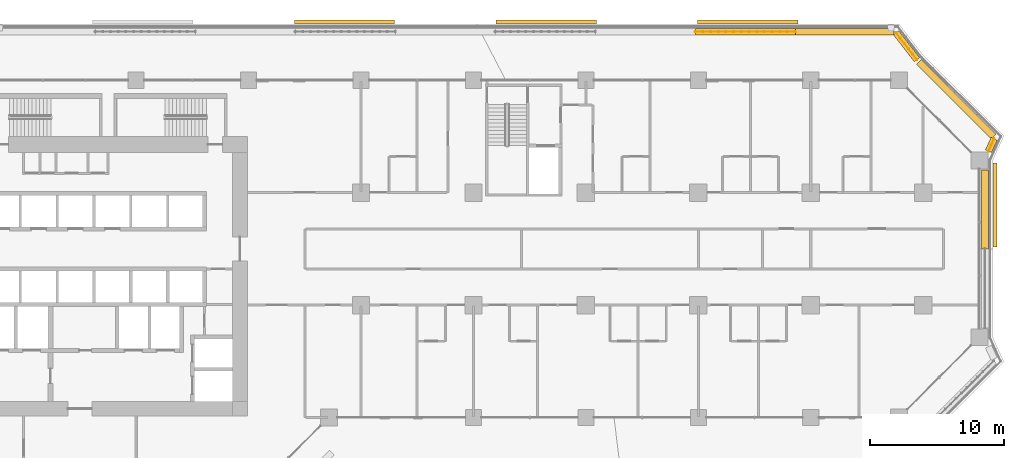
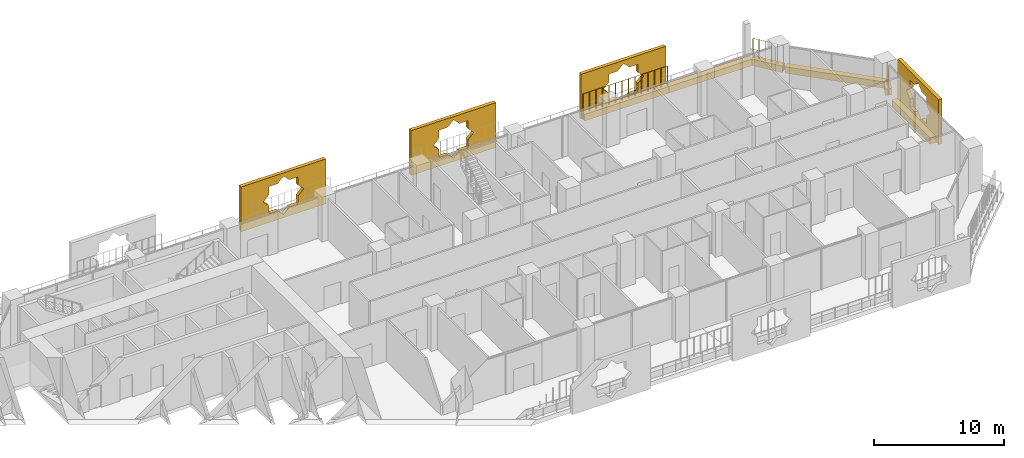
# One storey, part 28 of 28: 10 coverings, 3 railings.
"""IFC4 building model written with IfcOpenShell, lengths in metres."""

from ifc_helpers import new_model, si_unit, direction, frame, origin, origin_2d, place, context, subcontext, project, spatial, polyline, rectangle, circle, outline, extrude, material, material_profile, profile_set, type_object, element, save


model = new_model("IFC4")

# Units and contexts
model_context = context("Model", 3, precision=1e-05, world=origin(), true_north=direction((0.0, 1.0)))
body_context = subcontext(model_context, "Body", "Model", "MODEL_VIEW")
ifc_project = project(units=[si_unit("LENGTHUNIT", "METRE"), si_unit("AREAUNIT", "SQUARE_METRE"), si_unit("VOLUMEUNIT", "CUBIC_METRE"), si_unit("PLANEANGLEUNIT", "RADIAN"), si_unit("MASSUNIT", "GRAM", prefix="KILO")], contexts=[model_context])

# Site, building, storey
site_placement = place(None, origin())
site = spatial("IfcSite", under=ifc_project, at=site_placement, CompositionType="ELEMENT")
building_placement = place(site_placement, origin())
building = spatial("IfcBuilding", under=site, at=building_placement, Name="Kawkab Arch Medical Tower", CompositionType="ELEMENT")
storey_placement = place(building_placement, frame((0.0, 0.0, 56.0)))
storey = spatial("IfcBuildingStorey", under=building, at=storey_placement, Name="L12", CompositionType="ELEMENT", Elevation=56.0)

# Coverings
ifc_material_1 = material(Name="Bronze anodised aluminium mashrabiya panel, eight-point star pattern", Category="aluminium")
ifc_material_profile_1 = material_profile(ifc_material_1, outline(polyline([(-3.14990234375, -2.10009765625), (3.14990234375, -2.10009765625), (3.14990234375, 2.10009765625), (-3.14990234375, 2.10009765625), (-3.14990234375, -2.10009765625)]), holes=[polyline([(1.800048828125, 0.0), (1.272705078125, 0.527099609375), (1.272705078125, 1.272705078125), (0.527099609375, 1.272705078125), (0.0, 1.800048828125), (-0.527099609375, 1.272705078125), (-1.272705078125, 1.272705078125), (-1.272705078125, 0.527099609375), (-1.800048828125, 0.0), (-1.272705078125, -0.527099609375), (-1.272705078125, -1.272705078125), (-0.527099609375, -1.272705078125), (0.0, -1.800048828125), (0.527099609375, -1.272705078125), (1.272705078125, -1.272705078125), (1.272705078125, -0.527099609375), (1.800048828125, 0.0)])]), Name="Mashrabiya panel 6300x4200")
ifc_profile_set_1 = profile_set([ifc_material_profile_1], Name="Bronze anodised aluminium mashrabiya panel, eight-point star pattern")
covering_type_1 = type_object("IfcCoveringType", Name="Mashrabiya panel 6300 x 4200", PredefinedType="USERDEFINED", material=ifc_profile_set_1)
covering_1_placement = place(storey_placement, frame((80.800048828125, -9.31884765625, 1.699951171875), z_axis=(1.0, 0.0, 0.0), x_axis=(0.0, 1.0, 0.0)))
element("IfcCovering", 1, at=covering_1_placement, inside=storey, type_object=covering_type_1, Name="Mashrabiya panel L12.LOG-01-01.10", ObjectType="SCREEN", PredefinedType="USERDEFINED", context=body_context, shape_type="SweptSolid", body=[
    extrude(outline(polyline([(-3.14990234375, -2.10009765625), (3.14990234375, -2.10009765625), (3.14990234375, 2.10009765625), (-3.14990234375, 2.10009765625), (-3.14990234375, -2.10009765625)]), holes=[polyline([(1.800048828125, 0.0), (1.272705078125, 0.527099609375), (1.272705078125, 1.272705078125), (0.527099609375, 1.272705078125), (0.0, 1.800048828125), (-0.527099609375, 1.272705078125), (-1.272705078125, 1.272705078125), (-1.272705078125, 0.527099609375), (-1.800048828125, 0.0), (-1.272705078125, -0.527099609375), (-1.272705078125, -1.272705078125), (-0.527099609375, -1.272705078125), (0.0, -1.800048828125), (0.527099609375, -1.272705078125), (1.272705078125, -1.272705078125), (1.272705078125, -0.527099609375), (1.800048828125, 0.0)])]), origin(), (0.0, 0.0, 1.0), 0.300048828125),
])
ifc_material_2 = material(Name="Bronze anodised aluminium mashrabiya panel, eight-point star pattern", Category="aluminium")
ifc_material_profile_2 = material_profile(ifc_material_2, outline(polyline([(-3.75, -2.10009765625), (3.75, -2.10009765625), (3.75, 2.10009765625), (-3.75, 2.10009765625), (-3.75, -2.10009765625)]), holes=[polyline([(1.800048828125, 0.0), (1.272705078125, 0.527099609375), (1.272705078125, 1.272705078125), (0.527099609375, 1.272705078125), (0.0, 1.800048828125), (-0.527099609375, 1.272705078125), (-1.272705078125, 1.272705078125), (-1.272705078125, 0.527099609375), (-1.800048828125, 0.0), (-1.272705078125, -0.527099609375), (-1.272705078125, -1.272705078125), (-0.527099609375, -1.272705078125), (0.0, -1.800048828125), (0.527099609375, -1.272705078125), (1.272705078125, -1.272705078125), (1.272705078125, -0.527099609375), (1.800048828125, 0.0)])]), Name="Mashrabiya panel 7500x4200")
ifc_profile_set_2 = profile_set([ifc_material_profile_2], Name="Bronze anodised aluminium mashrabiya panel, eight-point star pattern")
covering_type_2 = type_object("IfcCoveringType", Name="Mashrabiya panel 7500 x 4200", PredefinedType="USERDEFINED", material=ifc_profile_set_2)
for number, where, z_axis, x_axis, name in (
    (2, (32.367919921875, 4.199951171875, 1.699951171875), (0.0, 1.0, 0.0), (-1.0, 0.0, 0.0), "Mashrabiya panel L12.LOG-01-01.7"),
    (3, (47.43212890625, 4.199951171875, 1.699951171875), (0.0, 1.0, 0.0), (-1.0, 0.0, 0.0), "Mashrabiya panel L12.LOG-01-01.8"),
    (4, (62.49658203125, 4.199951171875, 1.699951171875), (0.0, 1.0, 0.0), (-1.0, 0.0, 0.0), "Mashrabiya panel L12.LOG-01-01.9"),
):
    element("IfcCovering", number, at=place(storey_placement, frame(where, z_axis=z_axis, x_axis=x_axis)), inside=storey, type_object=covering_type_2, Name=name, ObjectType="SCREEN", PredefinedType="USERDEFINED", context=body_context, shape_type="SweptSolid", body=[
        extrude(outline(polyline([(-3.75, -2.10009765625), (3.75, -2.10009765625), (3.75, 2.10009765625), (-3.75, 2.10009765625), (-3.75, -2.10009765625)]), holes=[polyline([(1.800048828125, 0.0), (1.272705078125, 0.527099609375), (1.272705078125, 1.272705078125), (0.527099609375, 1.272705078125), (0.0, 1.800048828125), (-0.527099609375, 1.272705078125), (-1.272705078125, 1.272705078125), (-1.272705078125, 0.527099609375), (-1.800048828125, 0.0), (-1.272705078125, -0.527099609375), (-1.272705078125, -1.272705078125), (-0.527099609375, -1.272705078125), (0.0, -1.800048828125), (0.527099609375, -1.272705078125), (1.272705078125, -1.272705078125), (1.272705078125, -0.527099609375), (1.800048828125, 0.0)])]), origin(), (0.0, 0.0, 1.0), 0.300048828125),
    ])
ifc_material_3 = material(Name="Planting soil in a precast trough", Category="concrete")
ifc_material_profile_3 = material_profile(ifc_material_3, rectangle(XDim=0.5, YDim=0.60009765625, at=origin_2d()), Name="Trough 500x600")
ifc_profile_set_3 = profile_set([ifc_material_profile_3], Name="Planting soil in a precast trough")
covering_type_3 = type_object("IfcCoveringType", Name="Planter trough 500 x 600", PredefinedType="USERDEFINED", material=ifc_profile_set_3)
covering_2_placement = place(storey_placement, frame((58.575927734375, 3.6201171875, 0.300048828125), z_axis=(1.0, 0.0, 0.0), x_axis=(0.0, 1.0, 0.0)))
element("IfcCovering", 5, at=covering_2_placement, inside=storey, type_object=covering_type_3, Name="Planter L12.LOG-01-01.27", ObjectType="PLANTER", PredefinedType="USERDEFINED", context=body_context, shape_type="SweptSolid", body=[
    extrude(rectangle(XDim=0.5, YDim=0.60009765625, at=origin_2d()), origin(), (0.0, 0.0, 1.0), 7.469970703125),
])
covering_3_placement = place(storey_placement, frame((66.0458984375, 3.6201171875, 0.300048828125), z_axis=(1.0, 0.0, 0.0), x_axis=(0.0, 1.0, 0.0)))
element("IfcCovering", 6, at=covering_3_placement, inside=storey, type_object=covering_type_3, Name="Planter L12.LOG-01-01.28", ObjectType="PLANTER", PredefinedType="USERDEFINED", context=body_context, shape_type="SweptSolid", body=[
    extrude(rectangle(XDim=0.5, YDim=0.60009765625, at=origin_2d()), origin(), (0.0, 0.0, 1.0), 7.3701171875),
])
covering_4_placement = place(storey_placement, frame((73.577880859375, 3.541015625, 0.300048828125), z_axis=(0.614099956103, -0.789228258436, 0.0), x_axis=(0.789228258436, 0.614099956103, 0.0)))
element("IfcCovering", 7, at=covering_4_placement, inside=storey, type_object=covering_type_3, Name="Planter L12.LOG-01-01.29", ObjectType="PLANTER", PredefinedType="USERDEFINED", context=body_context, shape_type="SweptSolid", body=[
    extrude(rectangle(XDim=0.5, YDim=0.60009765625, at=origin_2d()), origin(), (0.0, 0.0, 1.0), 2.545654296875),
])
covering_5_placement = place(storey_placement, frame((75.27294921875, 1.383056640625, 0.300048828125), z_axis=(0.707106781187, -0.707106781187, 0.0), x_axis=(0.707106781187, 0.707106781187, 0.0)))
element("IfcCovering", 8, at=covering_5_placement, inside=storey, type_object=covering_type_3, Name="Planter L12.LOG-01-01.30", ObjectType="PLANTER", PredefinedType="USERDEFINED", context=body_context, shape_type="SweptSolid", body=[
    extrude(rectangle(XDim=0.5, YDim=0.60009765625, at=origin_2d()), origin(), (0.0, 0.0, 1.0), 7.919677734375),
])
covering_6_placement = place(storey_placement, frame((80.902099609375, -4.37890625, 0.300048828125), z_axis=(-0.415071571878, -0.909788761317, 0.0), x_axis=(0.909788761317, -0.415071571878, 0.0)))
element("IfcCovering", 9, at=covering_6_placement, inside=storey, type_object=covering_type_3, Name="Planter L12.LOG-01-01.31", ObjectType="PLANTER", PredefinedType="USERDEFINED", context=body_context, shape_type="SweptSolid", body=[
    extrude(rectangle(XDim=0.5, YDim=0.60009765625, at=origin_2d()), origin(), (0.0, 0.0, 1.0), 1.0146484375),
])
covering_7_placement = place(storey_placement, frame((80.219970703125, -6.705078125, 0.300048828125), z_axis=(0.0, -1.0, 0.0), x_axis=(1.0, 0.0, 0.0)))
element("IfcCovering", 10, at=covering_7_placement, inside=storey, type_object=covering_type_3, Name="Planter L12.LOG-01-01.32", ObjectType="PLANTER", PredefinedType="USERDEFINED", context=body_context, shape_type="SweptSolid", body=[
    extrude(rectangle(XDim=0.5, YDim=0.60009765625, at=origin_2d()), origin(), (0.0, 0.0, 1.0), 5.89501953125),
])

# Railings
ifc_material_4 = material(Name="Bronze anodised aluminium trellis for climbing plants", Category="aluminium")
railing_type = type_object("IfcRailingType", Name="Planting trellis 2400", PredefinedType="USERDEFINED", material=ifc_material_4)
railing_1_placement = place(storey_placement, frame((58.575927734375, 3.6201171875, 0.0)))
element("IfcRailing", 11, at=railing_1_placement, inside=storey, type_object=railing_type, Name="Planting trellis L12.LOG-01-01.27", ObjectType="TRELLIS", PredefinedType="USERDEFINED", context=body_context, shape_type="SweptSolid", body=[
    extrude(circle(Radius=0.01513671875, at=origin_2d()), frame((0.0, 0.0, 2.384765625), z_axis=(1.0, 0.0, 0.0), x_axis=(0.0, 1.0, 0.0)), (0.0, 0.0, 1.0), 7.469970703125),
    extrude(circle(Radius=0.030029296875, at=origin_2d()), origin(), (0.0, 0.0, 1.0), 2.369873046875),
    extrude(circle(Radius=0.030029296875, at=origin_2d()), frame((0.57470703125, 0.0, 0.0)), (0.0, 0.0, 1.0), 2.369873046875),
    extrude(circle(Radius=0.030029296875, at=origin_2d()), frame((1.149169921875, 0.0, 0.0)), (0.0, 0.0, 1.0), 2.369873046875),
    extrude(circle(Radius=0.030029296875, at=origin_2d()), frame((1.723876953125, 0.0, 0.0)), (0.0, 0.0, 1.0), 2.369873046875),
    extrude(circle(Radius=0.030029296875, at=origin_2d()), frame((2.29833984375, 0.0, 0.0)), (0.0, 0.0, 1.0), 2.369873046875),
    extrude(circle(Radius=0.030029296875, at=origin_2d()), frame((2.873046875, 0.0, 0.0)), (0.0, 0.0, 1.0), 2.369873046875),
    extrude(circle(Radius=0.030029296875, at=origin_2d()), frame((3.44775390625, 0.0, 0.0)), (0.0, 0.0, 1.0), 2.369873046875),
    extrude(circle(Radius=0.030029296875, at=origin_2d()), frame((4.022216796875, 0.0, 0.0)), (0.0, 0.0, 1.0), 2.369873046875),
    extrude(circle(Radius=0.030029296875, at=origin_2d()), frame((4.596923828125, 0.0, 0.0)), (0.0, 0.0, 1.0), 2.369873046875),
    extrude(circle(Radius=0.030029296875, at=origin_2d()), frame((5.171630859375, 0.0, 0.0)), (0.0, 0.0, 1.0), 2.369873046875),
    extrude(circle(Radius=0.030029296875, at=origin_2d()), frame((5.74609375, 0.0, 0.0)), (0.0, 0.0, 1.0), 2.369873046875),
    extrude(circle(Radius=0.030029296875, at=origin_2d()), frame((6.32080078125, 0.0, 0.0)), (0.0, 0.0, 1.0), 2.369873046875),
    extrude(circle(Radius=0.030029296875, at=origin_2d()), frame((6.895263671875, 0.0, 0.0)), (0.0, 0.0, 1.0), 2.369873046875),
    extrude(circle(Radius=0.030029296875, at=origin_2d()), frame((7.469970703125, 0.0, 0.0)), (0.0, 0.0, 1.0), 2.369873046875),
])
railing_2_placement = place(storey_placement, frame((73.577880859375, 3.541015625, 0.0)))
element("IfcRailing", 12, at=railing_2_placement, inside=storey, type_object=railing_type, Name="Planting trellis L12.LOG-01-01.29", ObjectType="TRELLIS", PredefinedType="USERDEFINED", context=body_context, shape_type="SweptSolid", body=[
    extrude(circle(Radius=0.01513671875, at=origin_2d()), frame((0.0, 0.0, 2.384765625), z_axis=(0.614099956103, -0.789228258436, 0.0), x_axis=(0.789228258436, 0.614099956103, 0.0)), (0.0, 0.0, 1.0), 2.545654296875),
    extrude(circle(Radius=0.030029296875, at=origin_2d()), origin(), (0.0, 0.0, 1.0), 2.369873046875),
    extrude(circle(Radius=0.030029296875, at=origin_2d()), frame((0.312744140625, -0.40185546875, 0.0)), (0.0, 0.0, 1.0), 2.369873046875),
    extrude(circle(Radius=0.030029296875, at=origin_2d()), frame((0.625244140625, -0.8037109375, 0.0)), (0.0, 0.0, 1.0), 2.369873046875),
    extrude(circle(Radius=0.030029296875, at=origin_2d()), frame((0.93798828125, -1.205322265625, 0.0)), (0.0, 0.0, 1.0), 2.369873046875),
    extrude(circle(Radius=0.030029296875, at=origin_2d()), frame((1.25048828125, -1.607177734375, 0.0)), (0.0, 0.0, 1.0), 2.369873046875),
    extrude(circle(Radius=0.030029296875, at=origin_2d()), frame((1.563232421875, -2.009033203125, 0.0)), (0.0, 0.0, 1.0), 2.369873046875),
])
railing_3_placement = place(storey_placement, frame((80.902099609375, -4.37890625, 0.0)))
element("IfcRailing", 13, at=railing_3_placement, inside=storey, type_object=railing_type, Name="Planting trellis L12.LOG-01-01.31", ObjectType="TRELLIS", PredefinedType="USERDEFINED", context=body_context, shape_type="SweptSolid", body=[
    extrude(circle(Radius=0.01513671875, at=origin_2d()), frame((0.0, 0.0, 2.384765625), z_axis=(-0.415071571878, -0.909788761317, 0.0), x_axis=(0.909788761317, -0.415071571878, 0.0)), (0.0, 0.0, 1.0), 1.0146484375),
    extrude(circle(Radius=0.030029296875, at=origin_2d()), origin(), (0.0, 0.0, 1.0), 2.369873046875),
    extrude(circle(Radius=0.030029296875, at=origin_2d()), frame((-0.21044921875, -0.46142578125, 0.0)), (0.0, 0.0, 1.0), 2.369873046875),
    extrude(circle(Radius=0.030029296875, at=origin_2d()), frame((-0.421142578125, -0.923095703125, 0.0)), (0.0, 0.0, 1.0), 2.369873046875),
])

save(model, "model.ifc")
